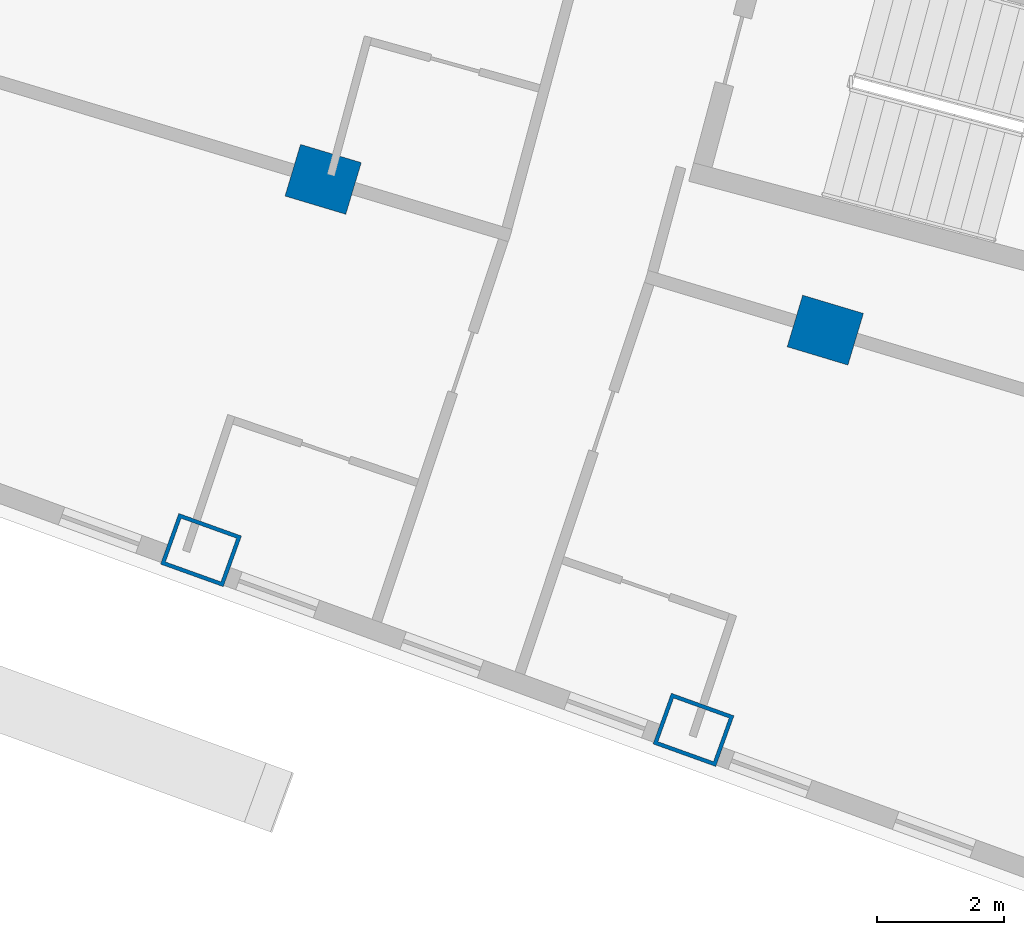
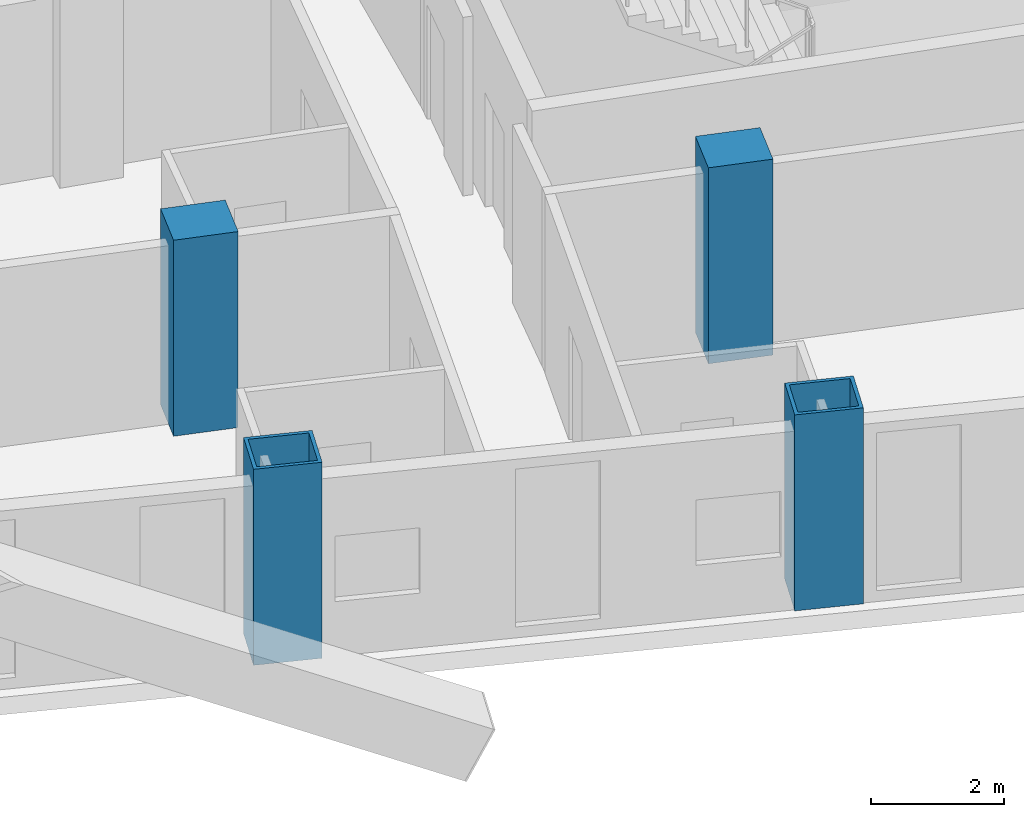
# One storey, part 2 of 25: 4 columns.
"""IFC4 building model written with IfcOpenShell, lengths in metres."""

import ifcopenshell
import ifcopenshell.guid

model = None  # the IFC model being written
_history = None  # IfcOwnerHistory: only IFC2X3 demands one
_inside = {}  # id of a spatial element -> (the spatial element, [elements in it])
_under = {}  # id of a project, library or spatial element -> (it, [spatial elements below it])
_declared = {}  # id of a project -> (the project, [libraries it declares])
_typed = {}  # id of a type object -> (the type object, [elements of that type])
_made_of = {}  # id of a material, layer set ... -> (it, [elements and type objects made of it])


def new_model(schema):
    """Start an empty IFC model of exactly this schema.

    Asked for "IFC4X3", IfcOpenShell would pick the latest addendum, in which some entities
    have other attributes; the version numbers below select the first issue.
    IFC2X3 requires an IfcOwnerHistory on every rooted entity: one is made here for all.
    """
    global model, _history
    if schema == "IFC4X3":
        model = ifcopenshell.file(schema_version=(4, 3, 0, 0))
    else:
        model = ifcopenshell.file(schema=schema)
    _inside.clear()
    _under.clear()
    _declared.clear()
    _typed.clear()
    _made_of.clear()
    _history = None
    if model.schema == "IFC2X3":
        org = make("IfcOrganization", Name="unknown")
        user = make(
            "IfcPersonAndOrganization",
            ThePerson=make("IfcPerson", FamilyName="unknown"),
            TheOrganization=org,
        )
        app = make(
            "IfcApplication",
            ApplicationDeveloper=org,
            Version="unknown",
            ApplicationFullName="unknown",
            ApplicationIdentifier="unknown",
        )
        _history = make(
            "IfcOwnerHistory",
            OwningUser=user,
            OwningApplication=app,
            ChangeAction="ADDED",
            CreationDate=0,
        )
    return model


def make(cls, **values):
    """One entity of the class cls with the attributes given. An attribute that is None is left unset."""
    return model.create_entity(
        cls, **{name: value for name, value in values.items() if value is not None}
    )


def rooted(cls, **values):
    """An entity with a GlobalId (a new one), such as an element, a storey or a relation."""
    return make(cls, GlobalId=ifcopenshell.guid.new(), OwnerHistory=_history, **values)


def si_unit(unit_type, name, prefix=None):
    """IfcSIUnit, for example si_unit("LENGTHUNIT", "METRE", prefix="MILLI")."""
    return make("IfcSIUnit", UnitType=unit_type, Prefix=prefix, Name=name)


def assignment(units):
    """IfcUnitAssignment: the units of a project."""
    return None if units is None else make("IfcUnitAssignment", Units=units)


def point(xyz):
    """IfcCartesianPoint."""
    return None if xyz is None else make("IfcCartesianPoint", Coordinates=xyz)


def direction(xyz):
    """IfcDirection."""
    return None if xyz is None else make("IfcDirection", DirectionRatios=xyz)


def frame(location, z_axis=None, x_axis=None):
    """IfcAxis2Placement3D, a coordinate frame: its origin and axes. An axis left out is left unset."""
    return make(
        "IfcAxis2Placement3D",
        Location=point(location),
        Axis=direction(z_axis),
        RefDirection=direction(x_axis),
    )


def frame_2d(location, x_axis=None):
    """IfcAxis2Placement2D, a coordinate frame in the plane: its origin and x axis."""
    return make(
        "IfcAxis2Placement2D", Location=point(location), RefDirection=direction(x_axis)
    )


def origin():
    """The frame at (0, 0, 0) with its axes left unset."""
    return frame((0.0, 0.0, 0.0))


def origin_2d():
    """The frame at (0, 0) in the plane with its x axis left unset."""
    return frame_2d((0.0, 0.0))


def place(relative_to, where):
    """IfcLocalPlacement: puts the frame where relative to a parent placement (None: the world)."""
    return make(
        "IfcLocalPlacement", PlacementRelTo=relative_to, RelativePlacement=where
    )


def context(
    kind, dimensions, precision=None, world=None, true_north=None, identifier=None
):
    """IfcGeometricRepresentationContext, for example the 3D "Model" context."""
    return make(
        "IfcGeometricRepresentationContext",
        ContextIdentifier=identifier,
        ContextType=kind,
        CoordinateSpaceDimension=dimensions,
        Precision=precision,
        WorldCoordinateSystem=world,
        TrueNorth=true_north,
    )


def subcontext(parent, identifier, kind, view, scale=None):
    """IfcGeometricRepresentationSubContext, for example "Body" below "Model"."""
    return make(
        "IfcGeometricRepresentationSubContext",
        ContextIdentifier=identifier,
        ContextType=kind,
        ParentContext=parent,
        TargetScale=scale,
        TargetView=view,
    )


def project(units=None, contexts=None):
    """IfcProject with its units and contexts."""
    return rooted(
        "IfcProject",
        Name="project",
        RepresentationContexts=contexts,
        UnitsInContext=assignment(units),
    )


def spatial(cls, under=None, at=None, **own):
    """A site, building, storey or space (cls), placed at a placement, below another one or the project."""
    s = rooted(cls, ObjectPlacement=at, **own)
    if under is not None:
        _under.setdefault(under.id(), (under, []))[1].append(s)
    return s


def profile(cls, at=None, kind="AREA", **sizes):
    """A parametric profile (cls). Its sizes go by their IFC names, for example OverallWidth=200.0."""
    return make(cls, ProfileType=kind, Position=at, **sizes)


def rectangle(**sizes):
    """IfcRectangleProfileDef."""
    return profile("IfcRectangleProfileDef", **sizes)


def hollow_rectangle(**sizes):
    """IfcRectangleHollowProfileDef."""
    return profile("IfcRectangleHollowProfileDef", **sizes)


def extrude(swept, where, along, depth):
    """IfcExtrudedAreaSolid: the profile swept, set in the frame where, extruded along a direction by depth."""
    return make(
        "IfcExtrudedAreaSolid",
        SweptArea=swept,
        Position=where,
        ExtrudedDirection=direction(along),
        Depth=depth,
    )


def shape(context_of_items, identifier, shape_type, items):
    """IfcShapeRepresentation: the items that make up one representation, for example the "Body"."""
    return make(
        "IfcShapeRepresentation",
        ContextOfItems=context_of_items,
        RepresentationIdentifier=identifier,
        RepresentationType=shape_type,
        Items=items,
    )


def material(Name=None, Category=None):
    """IfcMaterial."""
    return make("IfcMaterial", Name=Name, Category=Category)


def material_profile(
    of_material, cross_section, Name=None, Category=None, Priority=None
):
    """IfcMaterialProfile: a cross section and its material."""
    return make(
        "IfcMaterialProfile",
        Name=Name,
        Material=of_material,
        Profile=cross_section,
        Priority=Priority,
        Category=Category,
    )


def profile_set(profiles, Name=None, composite=None):
    """IfcMaterialProfileSet."""
    return make(
        "IfcMaterialProfileSet",
        Name=Name,
        MaterialProfiles=profiles,
        CompositeProfile=composite,
    )


def made_of(thing, what):
    """Note that an element or type object is made of a material, layer set ...; save() writes the relation."""
    if what is not None:
        _made_of.setdefault(what.id(), (what, []))[1].append(thing)
    return thing


def type_object(cls, material=None, **own):
    """A type object (cls), such as IfcWallType, which elements share."""
    return made_of(rooted(cls, **own), material)


def element(
    cls,
    number,
    at=None,
    inside=None,
    cuts=None,
    type_object=None,
    material=None,
    context=None,
    identifier="Body",
    shape_type=None,
    held_by="IfcProductDefinitionShape",
    body=None,
    shapes=None,
    **own,
):
    """One element of the class cls, such as IfcWall. Its Tag is "e" and its number.

    at: its placement. inside: the storey or other place that contains it. cuts: it is an
    opening in that element (IfcRelVoidsElement). A single representation is given by context,
    identifier, shape_type and body (its items); several are given by shapes. held_by: the class
    of the entity that holds the representations. save() writes the other relations.
    """
    e = rooted(cls, Tag="e%d" % number, ObjectPlacement=at, **own)
    if body is not None:
        shapes = [shape(context, identifier, shape_type, body)]
    if shapes is not None:
        e.Representation = make(held_by, Representations=shapes)
    if inside is not None:
        _inside.setdefault(inside.id(), (inside, []))[1].append(e)
    if cuts is not None:
        rooted(
            "IfcRelVoidsElement", RelatingBuildingElement=cuts, RelatedOpeningElement=e
        )
    if type_object is not None:
        _typed.setdefault(type_object.id(), (type_object, []))[1].append(e)
    return made_of(e, material)


def aggregate(whole, parts):
    """IfcRelAggregates: a whole, such as a stair, and the parts it consists of."""
    return rooted("IfcRelAggregates", RelatingObject=whole, RelatedObjects=parts)


def save(model, path):
    """Write the relations noted so far, then the file.

    IfcRelAggregates (storeys below a building ...), IfcRelContainedInSpatialStructure (elements
    in a storey), IfcRelDefinesByType, IfcRelAssociatesMaterial and IfcRelDeclares: one each for
    every whole, place, type object, material and project.
    """
    for whole, parts in _under.values():
        aggregate(whole, parts)
    for where, things in _inside.values():
        rooted(
            "IfcRelContainedInSpatialStructure",
            RelatedElements=things,
            RelatingStructure=where,
        )
    for kind, things in _typed.values():
        rooted("IfcRelDefinesByType", RelatedObjects=things, RelatingType=kind)
    for what, things in _made_of.values():
        rooted("IfcRelAssociatesMaterial", RelatedObjects=things, RelatingMaterial=what)
    for by, libraries in _declared.values():
        rooted("IfcRelDeclares", RelatingContext=by, RelatedDefinitions=libraries)
    model.write(path)


model = new_model("IFC4")

# Units and contexts
model_context = context("Model", 3, precision=1e-05, world=origin(), true_north=direction((0.0, 1.0)))
body_context = subcontext(model_context, "Body", "Model", "MODEL_VIEW")
ifc_project = project(units=[si_unit("LENGTHUNIT", "METRE"), si_unit("AREAUNIT", "SQUARE_METRE"), si_unit("VOLUMEUNIT", "CUBIC_METRE"), si_unit("PLANEANGLEUNIT", "RADIAN"), si_unit("MASSUNIT", "GRAM", prefix="KILO")], contexts=[model_context])

# Site, building, storey
site_placement = place(None, origin())
site = spatial("IfcSite", under=ifc_project, at=site_placement, CompositionType="ELEMENT")
building_placement = place(site_placement, origin())
building = spatial("IfcBuilding", under=site, at=building_placement, Name="Alderwake Tower", CompositionType="ELEMENT")
storey_placement = place(building_placement, frame((0.0, 0.0, 114.800048828125)))
storey = spatial("IfcBuildingStorey", under=building, at=storey_placement, Name="L28", CompositionType="ELEMENT", Elevation=114.800048828125)

# Columns
ifc_material_1 = material(Name="Steel ASTM A572 Grade 50 concrete filled C70/85", Category="concrete")
ifc_material_profile_1 = material_profile(ifc_material_1, hollow_rectangle(XDim=0.85009765625, YDim=1.050048828125, WallThickness=0.06005859375, at=origin_2d()), Name="BOX 1050X850X60")
ifc_profile_set_1 = profile_set([ifc_material_profile_1], Name="Steel ASTM A572 Grade 50 concrete filled C70/85")
column_type_1 = type_object("IfcColumnType", Name="End column Z2", PredefinedType="COLUMN", material=ifc_profile_set_1)
for number, where, z_axis, x_axis, name in (
    (1, (28.983642578125, 21.856689453125, 0.0), (0.0, 0.0, 1.0), (0.338026774049, 0.941136493834, 0.0), "Column R01-C2"),
    (2, (36.749267578125, 19.02197265625, 0.0), (0.0, 0.0, 1.0), (0.338351987283, 0.941019623973, 0.0), "Column R01-C3"),
):
    element("IfcColumn", number, at=place(storey_placement, frame(where, z_axis=z_axis, x_axis=x_axis)), inside=storey, type_object=column_type_1, Name=name, PredefinedType="COLUMN", context=body_context, shape_type="SweptSolid", body=[
        extrude(hollow_rectangle(XDim=0.85009765625, YDim=1.050048828125, WallThickness=0.06005859375, at=origin_2d()), origin(), (0.0, 0.0, 1.0), 3.599853515625),
    ])
ifc_material_2 = material(Name="Concrete C70/85", Category="concrete")
ifc_material_profile_2 = material_profile(ifc_material_2, rectangle(XDim=0.85009765625, YDim=1.0, at=origin_2d()), Name="RC 1000X850")
ifc_profile_set_2 = profile_set([ifc_material_profile_2], Name="Concrete C70/85")
column_type_2 = type_object("IfcColumnType", Name="Interior column Z2", PredefinedType="COLUMN", material=ifc_profile_set_2)
for number, where, z_axis, x_axis, name in (
    (3, (30.9091796875, 27.701904296875, 0.0), (0.0, 0.0, 1.0), (0.287549418125, 0.957765802342, 0.0), "Column R02-C2"),
    (4, (38.826904296875, 25.32470703125, 0.0), (0.0, 0.0, 1.0), (0.287547746508, 0.957766304209, 0.0), "Column R02-C3"),
):
    element("IfcColumn", number, at=place(storey_placement, frame(where, z_axis=z_axis, x_axis=x_axis)), inside=storey, type_object=column_type_2, Name=name, PredefinedType="COLUMN", context=body_context, shape_type="SweptSolid", body=[
        extrude(rectangle(XDim=0.85009765625, YDim=1.0, at=origin_2d()), origin(), (0.0, 0.0, 1.0), 3.599853515625),
    ])

save(model, "model.ifc")
